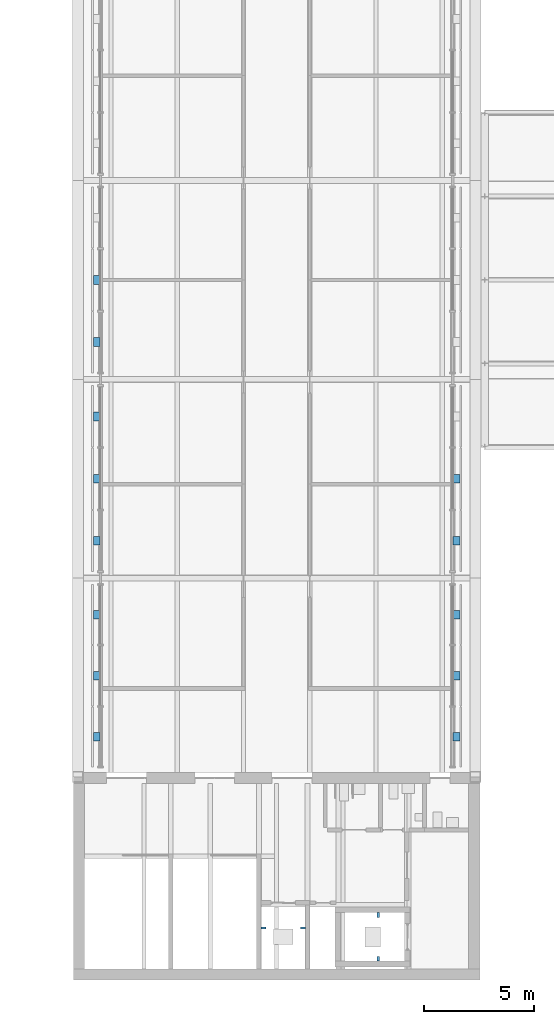
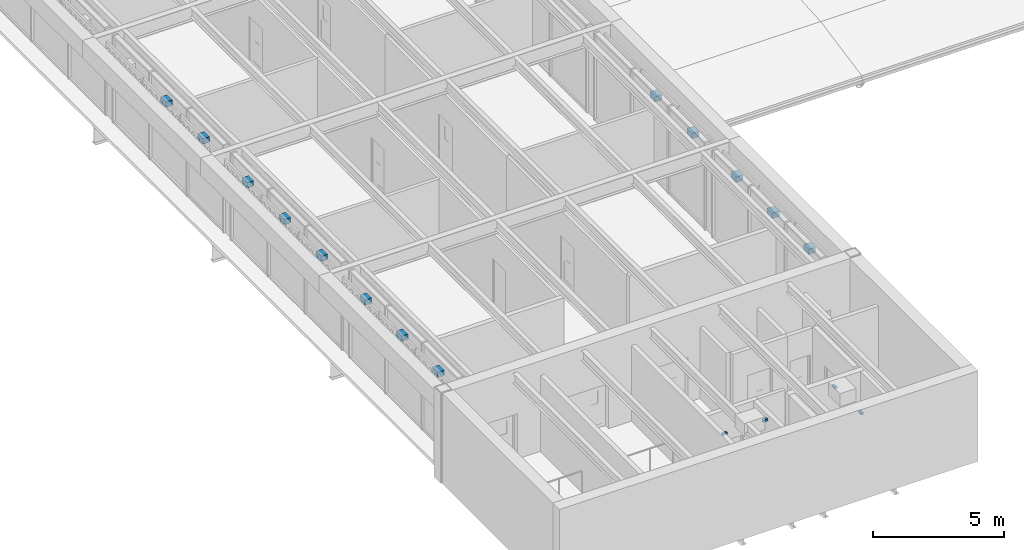
# One storey, part 27 of 43: 17 discrete accessories.
"""IFC4 building model written with IfcOpenShell, lengths in metres."""

from ifc_helpers import new_model, si_unit, direction, frame, origin, origin_2d, place, context, subcontext, project, spatial, rectangle, extrude, material, type_object, element, save


model = new_model("IFC4")

# Units and contexts
model_context = context("Model", 3, precision=1e-05, world=origin(), true_north=direction((0.0, 1.0)))
body_context = subcontext(model_context, "Body", "Model", "MODEL_VIEW")
ifc_project = project(units=[si_unit("LENGTHUNIT", "METRE"), si_unit("AREAUNIT", "SQUARE_METRE"), si_unit("VOLUMEUNIT", "CUBIC_METRE"), si_unit("PLANEANGLEUNIT", "RADIAN"), si_unit("MASSUNIT", "GRAM", prefix="KILO")], contexts=[model_context])

# Site, building, storey
site_placement = place(None, origin())
site = spatial("IfcSite", under=ifc_project, at=site_placement, CompositionType="ELEMENT")
building_placement = place(site_placement, origin())
building = spatial("IfcBuilding", under=site, at=building_placement, Name="Baradari Gate Terminus", CompositionType="ELEMENT")
storey_placement = place(building_placement, frame((0.0, 0.0, 20.10009765625)))
storey = spatial("IfcBuildingStorey", under=building, at=storey_placement, Name="L04", CompositionType="ELEMENT", Elevation=20.10009765625)

# Discrete accessories
ifc_material_1 = material(Name="Stainless steel 316", Category="steel")
discrete_accessory_type_1 = type_object("IfcDiscreteAccessoryType", Name="Jali screen bracket BK-2 stainless steel", PredefinedType="BRACKET", material=ifc_material_1)
for number, where, z_axis, x_axis, name in (
    (1, (72.8525390625, 37.811767578125, 3.454833984375), (0.0, 0.0, 1.0), (-1.0, 0.0, 0.0), "Jali screen bracket BK-2 L04/GW1 bay 1"),
    (2, (72.8525390625, 40.574951171875, 3.454833984375), (0.0, 0.0, 1.0), (-1.0, 0.0, 0.0), "Jali screen bracket BK-2 L04/GW1 bay 2"),
    (3, (72.8525390625, 43.33837890625, 3.454833984375), (0.0, 0.0, 1.0), (-1.0, 0.0, 0.0), "Jali screen bracket BK-2 L04/GW1 bay 3"),
    (4, (72.8525390625, 46.686767578125, 3.454833984375), (0.0, 0.0, 1.0), (-1.0, 0.0, 0.0), "Jali screen bracket BK-2 L04/GW2 bay 1"),
    (5, (72.8525390625, 49.5, 3.454833984375), (0.0, 0.0, 1.0), (-1.0, 0.0, 0.0), "Jali screen bracket BK-2 L04/GW2 bay 2"),
    (6, (72.8525390625, 52.313232421875, 3.454833984375), (0.0, 0.0, 1.0), (-1.0, 0.0, 0.0), "Jali screen bracket BK-2 L04/GW2 bay 3"),
    (7, (72.8525390625, 55.686767578125, 3.454833984375), (0.0, 0.0, 1.0), (-1.0, 0.0, 0.0), "Jali screen bracket BK-2 L04/GW3 bay 1"),
    (8, (72.8525390625, 58.5, 3.454833984375), (0.0, 0.0, 1.0), (-1.0, 0.0, 0.0), "Jali screen bracket BK-2 L04/GW3 bay 2"),
    (9, (89.1474609375, 37.811767578125, 3.454833984375), (0.0, 0.0, 1.0), (1.0, 0.0, 0.0), "Jali screen bracket BK-2 L04/GE1 bay 1"),
    (10, (89.1474609375, 40.574951171875, 3.454833984375), (0.0, 0.0, 1.0), (1.0, 0.0, 0.0), "Jali screen bracket BK-2 L04/GE1 bay 2"),
    (11, (89.1474609375, 43.33837890625, 3.454833984375), (0.0, 0.0, 1.0), (1.0, 0.0, 0.0), "Jali screen bracket BK-2 L04/GE1 bay 3"),
    (12, (89.1474609375, 46.686767578125, 3.454833984375), (0.0, 0.0, 1.0), (1.0, 0.0, 0.0), "Jali screen bracket BK-2 L04/GE2 bay 1"),
    (13, (89.1474609375, 49.5, 3.454833984375), (0.0, 0.0, 1.0), (1.0, 0.0, 0.0), "Jali screen bracket BK-2 L04/GE2 bay 2"),
):
    element("IfcDiscreteAccessory", number, at=place(storey_placement, frame(where, z_axis=z_axis, x_axis=x_axis)), inside=storey, type_object=discrete_accessory_type_1, Name=name, PredefinedType="BRACKET", context=body_context, shape_type="SweptSolid", body=[
        extrude(rectangle(XDim=0.304931640625, YDim=0.39990234375, at=origin_2d()), origin(), (0.0, 0.0, 1.0), 0.25),
    ])
ifc_material_2 = material(Name="Steel S355", Category="steel")
discrete_accessory_type_2 = type_object("IfcDiscreteAccessoryType", Name="Lift rail bracket RB-L1 100x100", PredefinedType="BRACKET", material=ifc_material_2)
for number, where, z_axis, x_axis, name in (
    (14, (80.405029296875, 29.14990234375, 3.249755859375), (0.0, 0.0, 1.0), (1.0, 0.0, 0.0), "Lift rail bracket LGS1 1B"),
    (15, (82.195068359375, 29.14990234375, 3.249755859375), (0.0, 0.0, 1.0), (1.0, 0.0, 0.0), "Lift rail bracket LGS1 2B"),
):
    element("IfcDiscreteAccessory", number, at=place(storey_placement, frame(where, z_axis=z_axis, x_axis=x_axis)), inside=storey, type_object=discrete_accessory_type_2, Name=name, PredefinedType="BRACKET", context=body_context, shape_type="SweptSolid", body=[
        extrude(rectangle(XDim=0.2099609375, YDim=0.10009765625, at=origin_2d()), origin(), (0.0, 0.0, 1.0), 0.10009765625),
    ])
for number, where, z_axis, x_axis, name in (
    (16, (85.60009765625, 27.7548828125, 3.249755859375), (0.0, 0.0, 1.0), (1.0, 0.0, 0.0), "Lift rail bracket LGS2 1B"),
    (17, (85.60009765625, 29.7451171875, 3.249755859375), (0.0, 0.0, 1.0), (1.0, 0.0, 0.0), "Lift rail bracket LGS2 2B"),
):
    element("IfcDiscreteAccessory", number, at=place(storey_placement, frame(where, z_axis=z_axis, x_axis=x_axis)), inside=storey, type_object=discrete_accessory_type_2, Name=name, PredefinedType="BRACKET", context=body_context, shape_type="SweptSolid", body=[
        extrude(rectangle(XDim=0.10009765625, YDim=0.2099609375, at=origin_2d()), origin(), (0.0, 0.0, 1.0), 0.10009765625),
    ])

save(model, "model.ifc")
